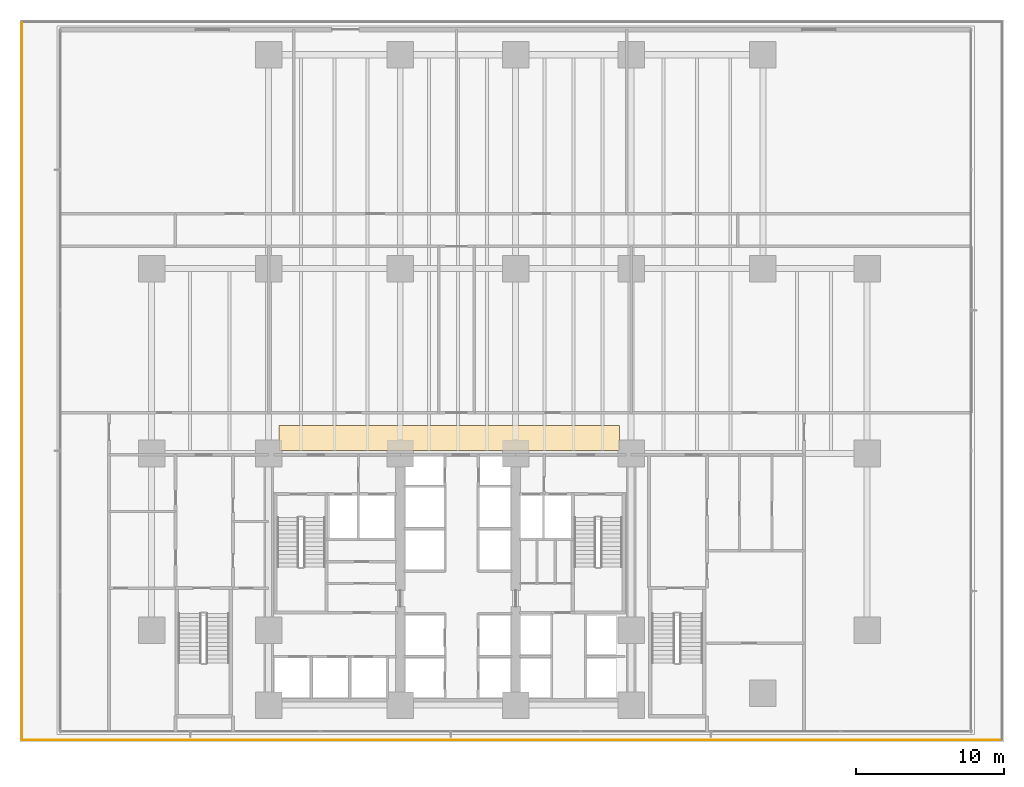
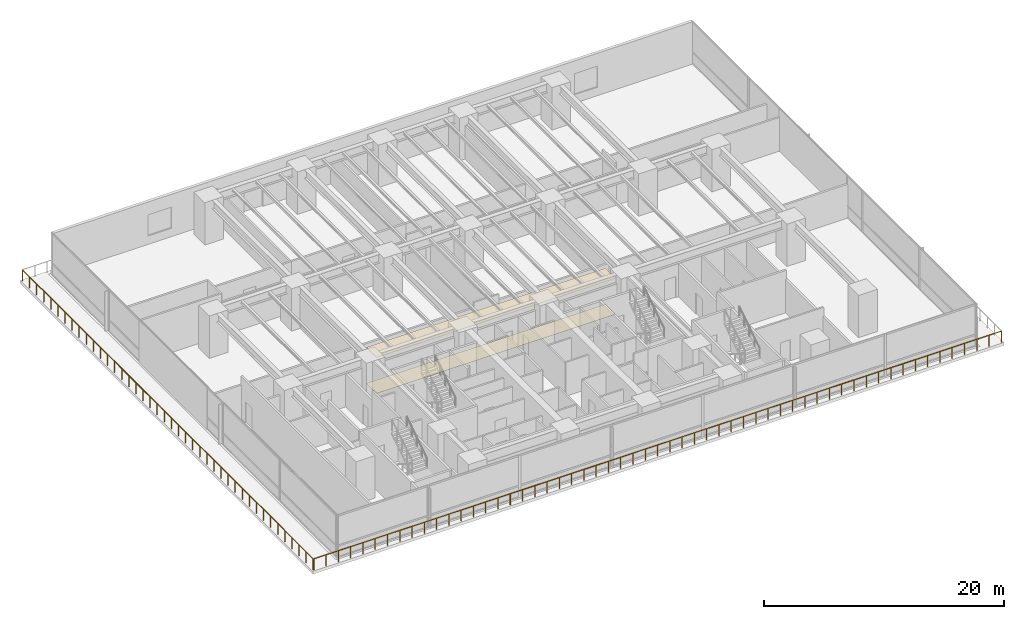
# One storey, part 20 of 26: 2 coverings, 2 railings.
"""IFC4 building model written with IfcOpenShell, lengths in metres."""

from ifc_helpers import new_model, si_unit, direction, frame, origin, origin_2d, place, context, subcontext, project, spatial, polyline, circle, outline, extrude, material, layer, layer_set, type_object, element, save


model = new_model("IFC4")

# Units and contexts
model_context = context("Model", 3, precision=1e-05, world=origin(), true_north=direction((0.0, 1.0)))
body_context = subcontext(model_context, "Body", "Model", "MODEL_VIEW")
ifc_project = project(units=[si_unit("LENGTHUNIT", "METRE"), si_unit("AREAUNIT", "SQUARE_METRE"), si_unit("VOLUMEUNIT", "CUBIC_METRE"), si_unit("PLANEANGLEUNIT", "RADIAN"), si_unit("MASSUNIT", "GRAM", prefix="KILO")], contexts=[model_context])

# Site, building, storey
site_placement = place(None, origin())
site = spatial("IfcSite", under=ifc_project, at=site_placement, CompositionType="ELEMENT")
building_placement = place(site_placement, origin())
building = spatial("IfcBuilding", under=site, at=building_placement, Name="Qalmaran Belvedere Hotel", CompositionType="ELEMENT")
storey_placement = place(building_placement, frame((0.0, 0.0, 19.199951171875)))
storey = spatial("IfcBuildingStorey", under=building, at=storey_placement, Name="L04", CompositionType="ELEMENT", Elevation=19.199951171875)

# Coverings
ifc_material_1 = material(Name="Acoustic Mineral Ceiling")
ifc_layer_1 = layer(ifc_material_1, 0.0400390625, Name="Acoustic Mineral Ceiling")
ifc_layer_set_1 = layer_set([ifc_layer_1], Name="Acoustic Mineral Ceiling")
covering_type_1 = type_object("IfcCoveringType", Name="CLG-ACOUSTIC-40", PredefinedType="CEILING", material=ifc_layer_set_1)
covering_1_placement = place(storey_placement, frame((0.0, 0.0, 3.650146484375)))
element("IfcCovering", 1, at=covering_1_placement, inside=storey, type_object=covering_type_1, Name="L04 Acoustic Corridor Ceiling", PredefinedType="CEILING", context=body_context, shape_type="SweptSolid", body=[
    extrude(outline(polyline([(21.0, 20.699951171875), (44.0, 20.699951171875), (44.0, 22.39990234375), (21.0, 22.39990234375), (21.0, 20.699951171875)])), origin(), (0.0, 0.0, 1.0), 0.039794921875),
])
ifc_material_2 = material(Name="Polished Stone Terrazzo", Category="masonry")
ifc_layer_2 = layer(ifc_material_2, 0.01806640625, Name="Polished Stone Terrazzo")
ifc_layer_set_2 = layer_set([ifc_layer_2], Name="Polished Stone Terrazzo")
covering_type_2 = type_object("IfcCoveringType", Name="FIN-TERRAZZO-18", PredefinedType="FLOORING", material=ifc_layer_set_2)
covering_2_placement = place(storey_placement, frame((0.0, 0.0, 0.001953125)))
element("IfcCovering", 2, at=covering_2_placement, inside=storey, type_object=covering_type_2, Name="L04 Limestone Corridor Flooring", PredefinedType="FLOORING", context=body_context, shape_type="SweptSolid", body=[
    extrude(outline(polyline([(21.0, 20.699951171875), (44.0, 20.699951171875), (44.0, 22.39990234375), (21.0, 22.39990234375), (21.0, 20.699951171875)])), origin(), (0.0, 0.0, 1.0), 0.01806640625),
])

# Railings
ifc_material_3 = material(Name="Anodised Bronze Aluminium", Category="aluminium")
railing_type = type_object("IfcRailingType", Name="GRD-TERR-1150", PredefinedType="BALUSTRADE", material=ifc_material_3)
railing_1_placement = place(storey_placement, frame((3.675048828125, 1.139892578125, 0.0)))
element("IfcRailing", 3, at=railing_1_placement, inside=storey, type_object=railing_type, Name="L04 Guardrail L04-TERR-1", PredefinedType="BALUSTRADE", context=body_context, shape_type="SweptSolid", body=[
    extrude(circle(Radius=0.02392578125, at=origin_2d()), frame((0.0, 0.0, 1.1259765625), z_axis=(1.0, 0.0, 0.0), x_axis=(0.0, 1.0, 0.0)), (0.0, 0.0, 1.0), 66.14990234375),
    extrude(circle(Radius=0.02099609375, at=origin_2d()), origin(), (0.0, 0.0, 1.0), 1.101806640625),
    extrude(circle(Radius=0.02099609375, at=origin_2d()), frame((1.18115234375, 0.0, 0.0)), (0.0, 0.0, 1.0), 1.101806640625),
    extrude(circle(Radius=0.02099609375, at=origin_2d()), frame((2.362548828125, 0.0, 0.0)), (0.0, 0.0, 1.0), 1.101806640625),
    extrude(circle(Radius=0.02099609375, at=origin_2d()), frame((3.543701171875, 0.0, 0.0)), (0.0, 0.0, 1.0), 1.101806640625),
    extrude(circle(Radius=0.02099609375, at=origin_2d()), frame((4.72509765625, 0.0, 0.0)), (0.0, 0.0, 1.0), 1.101806640625),
    extrude(circle(Radius=0.02099609375, at=origin_2d()), frame((5.90625, 0.0, 0.0)), (0.0, 0.0, 1.0), 1.101806640625),
    extrude(circle(Radius=0.02099609375, at=origin_2d()), frame((7.08740234375, 0.0, 0.0)), (0.0, 0.0, 1.0), 1.101806640625),
    extrude(circle(Radius=0.02099609375, at=origin_2d()), frame((8.268798828125, 0.0, 0.0)), (0.0, 0.0, 1.0), 1.101806640625),
    extrude(circle(Radius=0.02099609375, at=origin_2d()), frame((9.449951171875, 0.0, 0.0)), (0.0, 0.0, 1.0), 1.101806640625),
    extrude(circle(Radius=0.02099609375, at=origin_2d()), frame((10.63134765625, 0.0, 0.0)), (0.0, 0.0, 1.0), 1.101806640625),
    extrude(circle(Radius=0.02099609375, at=origin_2d()), frame((11.8125, 0.0, 0.0)), (0.0, 0.0, 1.0), 1.101806640625),
    extrude(circle(Radius=0.02099609375, at=origin_2d()), frame((12.99365234375, 0.0, 0.0)), (0.0, 0.0, 1.0), 1.101806640625),
    extrude(circle(Radius=0.02099609375, at=origin_2d()), frame((14.175048828125, 0.0, 0.0)), (0.0, 0.0, 1.0), 1.101806640625),
    extrude(circle(Radius=0.02099609375, at=origin_2d()), frame((15.356201171875, 0.0, 0.0)), (0.0, 0.0, 1.0), 1.101806640625),
    extrude(circle(Radius=0.02099609375, at=origin_2d()), frame((16.53759765625, 0.0, 0.0)), (0.0, 0.0, 1.0), 1.101806640625),
    extrude(circle(Radius=0.02099609375, at=origin_2d()), frame((17.71875, 0.0, 0.0)), (0.0, 0.0, 1.0), 1.101806640625),
    extrude(circle(Radius=0.02099609375, at=origin_2d()), frame((18.89990234375, 0.0, 0.0)), (0.0, 0.0, 1.0), 1.101806640625),
    extrude(circle(Radius=0.02099609375, at=origin_2d()), frame((20.081298828125, 0.0, 0.0)), (0.0, 0.0, 1.0), 1.101806640625),
    extrude(circle(Radius=0.02099609375, at=origin_2d()), frame((21.262451171875, 0.0, 0.0)), (0.0, 0.0, 1.0), 1.101806640625),
    extrude(circle(Radius=0.02099609375, at=origin_2d()), frame((22.443603515625, 0.0, 0.0)), (0.0, 0.0, 1.0), 1.101806640625),
    extrude(circle(Radius=0.02099609375, at=origin_2d()), frame((23.625, 0.0, 0.0)), (0.0, 0.0, 1.0), 1.101806640625),
    extrude(circle(Radius=0.02099609375, at=origin_2d()), frame((24.80615234375, 0.0, 0.0)), (0.0, 0.0, 1.0), 1.101806640625),
    extrude(circle(Radius=0.02099609375, at=origin_2d()), frame((25.987548828125, 0.0, 0.0)), (0.0, 0.0, 1.0), 1.101806640625),
    extrude(circle(Radius=0.02099609375, at=origin_2d()), frame((27.168701171875, 0.0, 0.0)), (0.0, 0.0, 1.0), 1.101806640625),
    extrude(circle(Radius=0.02099609375, at=origin_2d()), frame((28.349853515625, 0.0, 0.0)), (0.0, 0.0, 1.0), 1.101806640625),
    extrude(circle(Radius=0.02099609375, at=origin_2d()), frame((29.53125, 0.0, 0.0)), (0.0, 0.0, 1.0), 1.101806640625),
    extrude(circle(Radius=0.02099609375, at=origin_2d()), frame((30.71240234375, 0.0, 0.0)), (0.0, 0.0, 1.0), 1.101806640625),
    extrude(circle(Radius=0.02099609375, at=origin_2d()), frame((31.893798828125, 0.0, 0.0)), (0.0, 0.0, 1.0), 1.101806640625),
    extrude(circle(Radius=0.02099609375, at=origin_2d()), frame((33.074951171875, 0.0, 0.0)), (0.0, 0.0, 1.0), 1.101806640625),
    extrude(circle(Radius=0.02099609375, at=origin_2d()), frame((34.256103515625, 0.0, 0.0)), (0.0, 0.0, 1.0), 1.101806640625),
    extrude(circle(Radius=0.02099609375, at=origin_2d()), frame((35.4375, 0.0, 0.0)), (0.0, 0.0, 1.0), 1.101806640625),
    extrude(circle(Radius=0.02099609375, at=origin_2d()), frame((36.61865234375, 0.0, 0.0)), (0.0, 0.0, 1.0), 1.101806640625),
    extrude(circle(Radius=0.02099609375, at=origin_2d()), frame((37.800048828125, 0.0, 0.0)), (0.0, 0.0, 1.0), 1.101806640625),
    extrude(circle(Radius=0.02099609375, at=origin_2d()), frame((38.981201171875, 0.0, 0.0)), (0.0, 0.0, 1.0), 1.101806640625),
    extrude(circle(Radius=0.02099609375, at=origin_2d()), frame((40.162353515625, 0.0, 0.0)), (0.0, 0.0, 1.0), 1.101806640625),
    extrude(circle(Radius=0.02099609375, at=origin_2d()), frame((41.34375, 0.0, 0.0)), (0.0, 0.0, 1.0), 1.101806640625),
    extrude(circle(Radius=0.02099609375, at=origin_2d()), frame((42.52490234375, 0.0, 0.0)), (0.0, 0.0, 1.0), 1.101806640625),
    extrude(circle(Radius=0.02099609375, at=origin_2d()), frame((43.706298828125, 0.0, 0.0)), (0.0, 0.0, 1.0), 1.101806640625),
    extrude(circle(Radius=0.02099609375, at=origin_2d()), frame((44.887451171875, 0.0, 0.0)), (0.0, 0.0, 1.0), 1.101806640625),
    extrude(circle(Radius=0.02099609375, at=origin_2d()), frame((46.068603515625, 0.0, 0.0)), (0.0, 0.0, 1.0), 1.101806640625),
    extrude(circle(Radius=0.02099609375, at=origin_2d()), frame((47.25, 0.0, 0.0)), (0.0, 0.0, 1.0), 1.101806640625),
    extrude(circle(Radius=0.02099609375, at=origin_2d()), frame((48.43115234375, 0.0, 0.0)), (0.0, 0.0, 1.0), 1.101806640625),
    extrude(circle(Radius=0.02099609375, at=origin_2d()), frame((49.6123046875, 0.0, 0.0)), (0.0, 0.0, 1.0), 1.101806640625),
    extrude(circle(Radius=0.02099609375, at=origin_2d()), frame((50.793701171875, 0.0, 0.0)), (0.0, 0.0, 1.0), 1.101806640625),
    extrude(circle(Radius=0.02099609375, at=origin_2d()), frame((51.974853515625, 0.0, 0.0)), (0.0, 0.0, 1.0), 1.101806640625),
    extrude(circle(Radius=0.02099609375, at=origin_2d()), frame((53.15625, 0.0, 0.0)), (0.0, 0.0, 1.0), 1.101806640625),
    extrude(circle(Radius=0.02099609375, at=origin_2d()), frame((54.33740234375, 0.0, 0.0)), (0.0, 0.0, 1.0), 1.101806640625),
    extrude(circle(Radius=0.02099609375, at=origin_2d()), frame((55.5185546875, 0.0, 0.0)), (0.0, 0.0, 1.0), 1.101806640625),
    extrude(circle(Radius=0.02099609375, at=origin_2d()), frame((56.699951171875, 0.0, 0.0)), (0.0, 0.0, 1.0), 1.101806640625),
    extrude(circle(Radius=0.02099609375, at=origin_2d()), frame((57.881103515625, 0.0, 0.0)), (0.0, 0.0, 1.0), 1.101806640625),
    extrude(circle(Radius=0.02099609375, at=origin_2d()), frame((59.0625, 0.0, 0.0)), (0.0, 0.0, 1.0), 1.101806640625),
    extrude(circle(Radius=0.02099609375, at=origin_2d()), frame((60.24365234375, 0.0, 0.0)), (0.0, 0.0, 1.0), 1.101806640625),
    extrude(circle(Radius=0.02099609375, at=origin_2d()), frame((61.4248046875, 0.0, 0.0)), (0.0, 0.0, 1.0), 1.101806640625),
    extrude(circle(Radius=0.02099609375, at=origin_2d()), frame((62.606201171875, 0.0, 0.0)), (0.0, 0.0, 1.0), 1.101806640625),
    extrude(circle(Radius=0.02099609375, at=origin_2d()), frame((63.787353515625, 0.0, 0.0)), (0.0, 0.0, 1.0), 1.101806640625),
    extrude(circle(Radius=0.02099609375, at=origin_2d()), frame((64.96875, 0.0, 0.0)), (0.0, 0.0, 1.0), 1.101806640625),
    extrude(circle(Radius=0.02099609375, at=origin_2d()), frame((66.14990234375, 0.0, 0.0)), (0.0, 0.0, 1.0), 1.101806640625),
])
railing_2_placement = place(storey_placement, frame((3.639892578125, 49.625, 0.0)))
element("IfcRailing", 4, at=railing_2_placement, inside=storey, type_object=railing_type, Name="L04 Guardrail L04-TERR-4", PredefinedType="BALUSTRADE", context=body_context, shape_type="SweptSolid", body=[
    extrude(circle(Radius=0.02392578125, at=origin_2d()), frame((0.0, 0.0, 1.1259765625), z_axis=(0.0, -1.0, 0.0), x_axis=(1.0, 0.0, 0.0)), (0.0, 0.0, 1.0), 48.449951171875),
    extrude(circle(Radius=0.02099609375, at=origin_2d()), origin(), (0.0, 0.0, 1.0), 1.101806640625),
    extrude(circle(Radius=0.02099609375, at=origin_2d()), frame((0.0, -1.181640625, 0.0)), (0.0, 0.0, 1.0), 1.101806640625),
    extrude(circle(Radius=0.02099609375, at=origin_2d()), frame((0.0, -2.363525390625, 0.0)), (0.0, 0.0, 1.0), 1.101806640625),
    extrude(circle(Radius=0.02099609375, at=origin_2d()), frame((0.0, -3.545166015625, 0.0)), (0.0, 0.0, 1.0), 1.101806640625),
    extrude(circle(Radius=0.02099609375, at=origin_2d()), frame((0.0, -4.726806640625, 0.0)), (0.0, 0.0, 1.0), 1.101806640625),
    extrude(circle(Radius=0.02099609375, at=origin_2d()), frame((0.0, -5.908447265625, 0.0)), (0.0, 0.0, 1.0), 1.101806640625),
    extrude(circle(Radius=0.02099609375, at=origin_2d()), frame((0.0, -7.09033203125, 0.0)), (0.0, 0.0, 1.0), 1.101806640625),
    extrude(circle(Radius=0.02099609375, at=origin_2d()), frame((0.0, -8.27197265625, 0.0)), (0.0, 0.0, 1.0), 1.101806640625),
    extrude(circle(Radius=0.02099609375, at=origin_2d()), frame((0.0, -9.45361328125, 0.0)), (0.0, 0.0, 1.0), 1.101806640625),
    extrude(circle(Radius=0.02099609375, at=origin_2d()), frame((0.0, -10.63525390625, 0.0)), (0.0, 0.0, 1.0), 1.101806640625),
    extrude(circle(Radius=0.02099609375, at=origin_2d()), frame((0.0, -11.817138671875, 0.0)), (0.0, 0.0, 1.0), 1.101806640625),
    extrude(circle(Radius=0.02099609375, at=origin_2d()), frame((0.0, -12.998779296875, 0.0)), (0.0, 0.0, 1.0), 1.101806640625),
    extrude(circle(Radius=0.02099609375, at=origin_2d()), frame((0.0, -14.180419921875, 0.0)), (0.0, 0.0, 1.0), 1.101806640625),
    extrude(circle(Radius=0.02099609375, at=origin_2d()), frame((0.0, -15.362060546875, 0.0)), (0.0, 0.0, 1.0), 1.101806640625),
    extrude(circle(Radius=0.02099609375, at=origin_2d()), frame((0.0, -16.5439453125, 0.0)), (0.0, 0.0, 1.0), 1.101806640625),
    extrude(circle(Radius=0.02099609375, at=origin_2d()), frame((0.0, -17.7255859375, 0.0)), (0.0, 0.0, 1.0), 1.101806640625),
    extrude(circle(Radius=0.02099609375, at=origin_2d()), frame((0.0, -18.9072265625, 0.0)), (0.0, 0.0, 1.0), 1.101806640625),
    extrude(circle(Radius=0.02099609375, at=origin_2d()), frame((0.0, -20.089111328125, 0.0)), (0.0, 0.0, 1.0), 1.101806640625),
    extrude(circle(Radius=0.02099609375, at=origin_2d()), frame((0.0, -21.270751953125, 0.0)), (0.0, 0.0, 1.0), 1.101806640625),
    extrude(circle(Radius=0.02099609375, at=origin_2d()), frame((0.0, -22.452392578125, 0.0)), (0.0, 0.0, 1.0), 1.101806640625),
    extrude(circle(Radius=0.02099609375, at=origin_2d()), frame((0.0, -23.634033203125, 0.0)), (0.0, 0.0, 1.0), 1.101806640625),
    extrude(circle(Radius=0.02099609375, at=origin_2d()), frame((0.0, -24.81591796875, 0.0)), (0.0, 0.0, 1.0), 1.101806640625),
    extrude(circle(Radius=0.02099609375, at=origin_2d()), frame((0.0, -25.99755859375, 0.0)), (0.0, 0.0, 1.0), 1.101806640625),
    extrude(circle(Radius=0.02099609375, at=origin_2d()), frame((0.0, -27.17919921875, 0.0)), (0.0, 0.0, 1.0), 1.101806640625),
    extrude(circle(Radius=0.02099609375, at=origin_2d()), frame((0.0, -28.36083984375, 0.0)), (0.0, 0.0, 1.0), 1.101806640625),
    extrude(circle(Radius=0.02099609375, at=origin_2d()), frame((0.0, -29.542724609375, 0.0)), (0.0, 0.0, 1.0), 1.101806640625),
    extrude(circle(Radius=0.02099609375, at=origin_2d()), frame((0.0, -30.724365234375, 0.0)), (0.0, 0.0, 1.0), 1.101806640625),
    extrude(circle(Radius=0.02099609375, at=origin_2d()), frame((0.0, -31.906005859375, 0.0)), (0.0, 0.0, 1.0), 1.101806640625),
    extrude(circle(Radius=0.02099609375, at=origin_2d()), frame((0.0, -33.087890625, 0.0)), (0.0, 0.0, 1.0), 1.101806640625),
    extrude(circle(Radius=0.02099609375, at=origin_2d()), frame((0.0, -34.26953125, 0.0)), (0.0, 0.0, 1.0), 1.101806640625),
    extrude(circle(Radius=0.02099609375, at=origin_2d()), frame((0.0, -35.451171875, 0.0)), (0.0, 0.0, 1.0), 1.101806640625),
    extrude(circle(Radius=0.02099609375, at=origin_2d()), frame((0.0, -36.6328125, 0.0)), (0.0, 0.0, 1.0), 1.101806640625),
    extrude(circle(Radius=0.02099609375, at=origin_2d()), frame((0.0, -37.814697265625, 0.0)), (0.0, 0.0, 1.0), 1.101806640625),
    extrude(circle(Radius=0.02099609375, at=origin_2d()), frame((0.0, -38.996337890625, 0.0)), (0.0, 0.0, 1.0), 1.101806640625),
    extrude(circle(Radius=0.02099609375, at=origin_2d()), frame((0.0, -40.177978515625, 0.0)), (0.0, 0.0, 1.0), 1.101806640625),
    extrude(circle(Radius=0.02099609375, at=origin_2d()), frame((0.0, -41.359619140625, 0.0)), (0.0, 0.0, 1.0), 1.101806640625),
    extrude(circle(Radius=0.02099609375, at=origin_2d()), frame((0.0, -42.54150390625, 0.0)), (0.0, 0.0, 1.0), 1.101806640625),
    extrude(circle(Radius=0.02099609375, at=origin_2d()), frame((0.0, -43.72314453125, 0.0)), (0.0, 0.0, 1.0), 1.101806640625),
    extrude(circle(Radius=0.02099609375, at=origin_2d()), frame((0.0, -44.90478515625, 0.0)), (0.0, 0.0, 1.0), 1.101806640625),
    extrude(circle(Radius=0.02099609375, at=origin_2d()), frame((0.0, -46.08642578125, 0.0)), (0.0, 0.0, 1.0), 1.101806640625),
    extrude(circle(Radius=0.02099609375, at=origin_2d()), frame((0.0, -47.268310546875, 0.0)), (0.0, 0.0, 1.0), 1.101806640625),
    extrude(circle(Radius=0.02099609375, at=origin_2d()), frame((0.0, -48.449951171875, 0.0)), (0.0, 0.0, 1.0), 1.101806640625),
])

save(model, "model.ifc")
